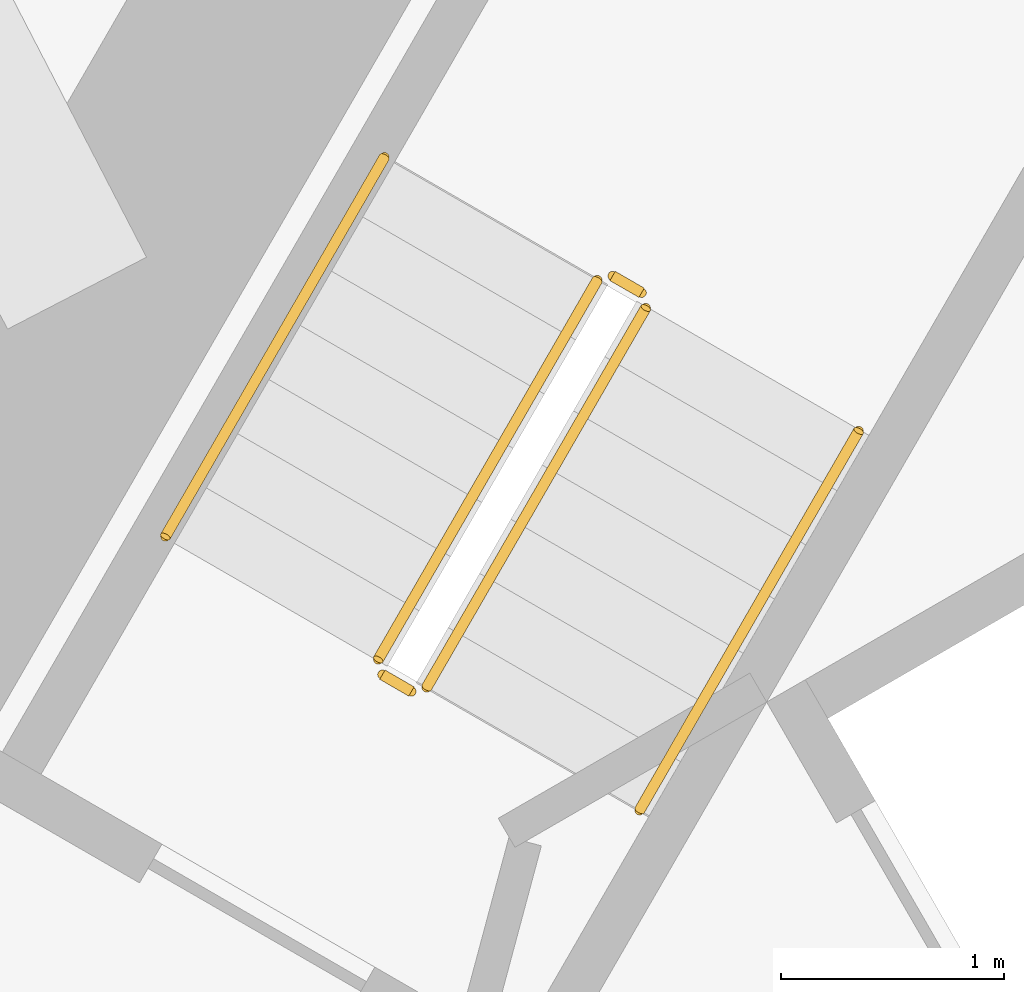
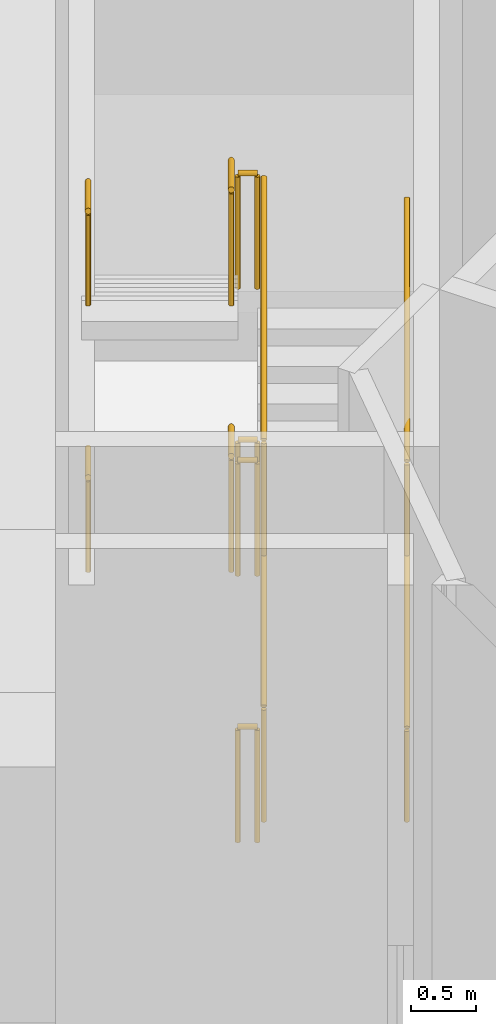
# One storey, part 18 of 20: 12 railings.
"""IFC4 building model written with IfcOpenShell, lengths in metres."""

from ifc_helpers import new_model, si_unit, direction, frame, origin, origin_2d, place, context, subcontext, project, spatial, circle, extrude, material, type_object, element, save


model = new_model("IFC4")

# Units and contexts
model_context = context("Model", 3, precision=1e-05, world=origin(), true_north=direction((0.0, 1.0)))
body_context = subcontext(model_context, "Body", "Model", "MODEL_VIEW")
ifc_project = project(units=[si_unit("LENGTHUNIT", "METRE"), si_unit("AREAUNIT", "SQUARE_METRE"), si_unit("VOLUMEUNIT", "CUBIC_METRE"), si_unit("PLANEANGLEUNIT", "RADIAN"), si_unit("MASSUNIT", "GRAM", prefix="KILO")], contexts=[model_context])

# Site, building, storey
site_placement = place(None, origin())
site = spatial("IfcSite", under=ifc_project, at=site_placement, CompositionType="ELEMENT")
building_placement = place(site_placement, origin())
building = spatial("IfcBuilding", under=site, at=building_placement, Name="Tramontana Tower", CompositionType="ELEMENT")
storey_placement = place(building_placement, frame((0.0, 0.0, 10.0)))
storey = spatial("IfcBuildingStorey", under=building, at=storey_placement, Name="L01", CompositionType="ELEMENT", Elevation=10.0)

# Railings
ifc_material_1 = material(Name="Painted steel", Category="steel")
railing_type_1 = type_object("IfcRailingType", Name="STAIR GUARD 1100", PredefinedType="GUARDRAIL", material=ifc_material_1)
railing_1_placement = place(storey_placement, frame((-1.867431640625, 4.865478515625, 0.15625)))
element("IfcRailing", 1, at=railing_1_placement, inside=storey, type_object=railing_type_1, Name="L01 ST1 stair guard 1", PredefinedType="GUARDRAIL", context=body_context, shape_type="SweptSolid", body=[
    extrude(circle(Radius=0.02392578125, at=origin_2d()), frame((0.0, 0.0, 1.076171875), z_axis=(0.436596390967, 0.756266742998, 0.487282469241), x_axis=(-0.866042469362, 0.499970440388, 0.0)), (0.0, 0.0, 1.0), 2.24462890625),
    extrude(circle(Radius=0.02099609375, at=origin_2d()), origin(), (0.0, 0.0, 1.0), 1.052001953125),
    extrude(circle(Radius=0.02099609375, at=origin_2d()), frame((0.489990234375, 0.8486328125, 0.546875)), (0.0, 0.0, 1.0), 1.052001953125),
    extrude(circle(Radius=0.02099609375, at=origin_2d()), frame((0.97998046875, 1.697509765625, 1.09375)), (0.0, 0.0, 1.0), 1.052001953125),
])
railing_2_placement = place(storey_placement, frame((-1.10400390625, 6.68798828125, 1.40625)))
element("IfcRailing", 2, at=railing_2_placement, inside=storey, type_object=railing_type_1, Name="L01 ST1 stair guard 2", PredefinedType="GUARDRAIL", context=body_context, shape_type="SweptSolid", body=[
    extrude(circle(Radius=0.02392578125, at=origin_2d()), frame((0.0, 0.0, 1.076171875), z_axis=(-0.436596390967, -0.756266742998, 0.487282469241), x_axis=(0.866042469362, -0.499970440388, 0.0)), (0.0, 0.0, 1.0), 2.24462890625),
    extrude(circle(Radius=0.02099609375, at=origin_2d()), origin(), (0.0, 0.0, 1.0), 1.052001953125),
    extrude(circle(Radius=0.02099609375, at=origin_2d()), frame((-0.489990234375, -0.8486328125, 0.546875)), (0.0, 0.0, 1.0), 1.052001953125),
    extrude(circle(Radius=0.02099609375, at=origin_2d()), frame((-0.97998046875, -1.697509765625, 1.09375)), (0.0, 0.0, 1.0), 1.052001953125),
])
railing_3_placement = place(storey_placement, frame((-1.867431640625, 4.865478515625, 2.65625)))
element("IfcRailing", 3, at=railing_3_placement, inside=storey, type_object=railing_type_1, Name="L01 ST1 stair guard 3", PredefinedType="GUARDRAIL", context=body_context, shape_type="SweptSolid", body=[
    extrude(circle(Radius=0.02392578125, at=origin_2d()), frame((0.0, 0.0, 1.076171875), z_axis=(0.436596390967, 0.756266742998, 0.487282469241), x_axis=(-0.866042469362, 0.499970440388, 0.0)), (0.0, 0.0, 1.0), 2.24462890625),
    extrude(circle(Radius=0.02099609375, at=origin_2d()), origin(), (0.0, 0.0, 1.0), 1.052001953125),
    extrude(circle(Radius=0.02099609375, at=origin_2d()), frame((0.489990234375, 0.8486328125, 0.546875)), (0.0, 0.0, 1.0), 1.052001953125),
    extrude(circle(Radius=0.02099609375, at=origin_2d()), frame((0.97998046875, 1.697509765625, 1.09375)), (0.0, 0.0, 1.0), 1.052001953125),
])
railing_4_placement = place(storey_placement, frame((-1.10400390625, 6.68798828125, 3.90625)))
element("IfcRailing", 4, at=railing_4_placement, inside=storey, type_object=railing_type_1, Name="L01 ST1 stair guard 4", PredefinedType="GUARDRAIL", context=body_context, shape_type="SweptSolid", body=[
    extrude(circle(Radius=0.02392578125, at=origin_2d()), frame((0.0, 0.0, 1.076171875), z_axis=(-0.436596390967, -0.756266742998, 0.487282469241), x_axis=(0.866042469362, -0.499970440388, 0.0)), (0.0, 0.0, 1.0), 2.24462890625),
    extrude(circle(Radius=0.02099609375, at=origin_2d()), origin(), (0.0, 0.0, 1.0), 1.052001953125),
    extrude(circle(Radius=0.02099609375, at=origin_2d()), frame((-0.489990234375, -0.8486328125, 0.546875)), (0.0, 0.0, 1.0), 1.052001953125),
    extrude(circle(Radius=0.02099609375, at=origin_2d()), frame((-0.97998046875, -1.697509765625, 1.09375)), (0.0, 0.0, 1.0), 1.052001953125),
])
railing_5_placement = place(storey_placement, frame((-0.90576171875, 6.63134765625, 1.25)))
element("IfcRailing", 5, at=railing_5_placement, inside=storey, type_object=railing_type_1, Name="L01 ST1 stair guard 5", PredefinedType="GUARDRAIL", context=body_context, shape_type="SweptSolid", body=[
    extrude(circle(Radius=0.02392578125, at=origin_2d()), frame((0.0, 0.0, 1.076171875), z_axis=(-0.866131372301, 0.499816412211, 0.0), x_axis=(-0.499816412211, -0.866131372301, 0.0)), (0.0, 0.0, 1.0), 0.14990234375),
    extrude(circle(Radius=0.02099609375, at=origin_2d()), origin(), (0.0, 0.0, 1.0), 1.052001953125),
    extrude(circle(Radius=0.02099609375, at=origin_2d()), frame((-0.1298828125, 0.074951171875, 0.0)), (0.0, 0.0, 1.0), 1.052001953125),
])
railing_6_placement = place(storey_placement, frame((-1.935791015625, 4.84716796875, 2.5)))
element("IfcRailing", 6, at=railing_6_placement, inside=storey, type_object=railing_type_1, Name="L01 ST1 stair guard 6", PredefinedType="GUARDRAIL", context=body_context, shape_type="SweptSolid", body=[
    extrude(circle(Radius=0.02392578125, at=origin_2d()), frame((0.0, 0.0, 1.076171875), z_axis=(-0.865426285481, 0.501036270542, 0.0), x_axis=(-0.501036270542, -0.865426285481, 0.0)), (0.0, 0.0, 1.0), 0.150146484375),
    extrude(circle(Radius=0.02099609375, at=origin_2d()), origin(), (0.0, 0.0, 1.0), 1.052001953125),
    extrude(circle(Radius=0.02099609375, at=origin_2d()), frame((-0.1298828125, 0.0751953125, 0.0)), (0.0, 0.0, 1.0), 1.052001953125),
])
railing_7_placement = place(storey_placement, frame((-0.90576171875, 6.63134765625, 3.75)))
element("IfcRailing", 7, at=railing_7_placement, inside=storey, type_object=railing_type_1, Name="L01 ST1 stair guard 7", PredefinedType="GUARDRAIL", context=body_context, shape_type="SweptSolid", body=[
    extrude(circle(Radius=0.02392578125, at=origin_2d()), frame((0.0, 0.0, 1.076171875), z_axis=(-0.866131372301, 0.499816412211, 0.0), x_axis=(-0.499816412211, -0.866131372301, 0.0)), (0.0, 0.0, 1.0), 0.14990234375),
    extrude(circle(Radius=0.02099609375, at=origin_2d()), origin(), (0.0, 0.0, 1.0), 1.052001953125),
    extrude(circle(Radius=0.02099609375, at=origin_2d()), frame((-0.1298828125, 0.074951171875, 0.0)), (0.0, 0.0, 1.0), 1.052001953125),
])
railing_8_placement = place(storey_placement, frame((-1.935791015625, 4.84716796875, 0.0)))
element("IfcRailing", 8, at=railing_8_placement, inside=storey, type_object=railing_type_1, Name="L01 ST1 stair guard 8", PredefinedType="GUARDRAIL", context=body_context, shape_type="SweptSolid", body=[
    extrude(circle(Radius=0.02392578125, at=origin_2d()), frame((0.0, 0.0, 1.076171875), z_axis=(-0.865426285481, 0.501036270542, 0.0), x_axis=(-0.501036270542, -0.865426285481, 0.0)), (0.0, 0.0, 1.0), 0.150146484375),
    extrude(circle(Radius=0.02099609375, at=origin_2d()), origin(), (0.0, 0.0, 1.0), 1.052001953125),
    extrude(circle(Radius=0.02099609375, at=origin_2d()), frame((-0.1298828125, 0.0751953125, 0.0)), (0.0, 0.0, 1.0), 1.052001953125),
])
ifc_material_2 = material(Name="Painted steel", Category="steel")
railing_type_2 = type_object("IfcRailingType", Name="STAIR HANDRAIL 900", PredefinedType="HANDRAIL", material=ifc_material_2)
railing_9_placement = place(storey_placement, frame((-0.914794921875, 4.315673828125, 0.15625)))
element("IfcRailing", 9, at=railing_9_placement, inside=storey, type_object=railing_type_2, Name="L01 ST1 stair handrail 1", PredefinedType="HANDRAIL", context=body_context, shape_type="SweptSolid", body=[
    extrude(circle(Radius=0.02392578125, at=origin_2d()), frame((0.0, 0.0, 0.8759765625), z_axis=(0.436632306331, 0.756220177781, 0.487322554151), x_axis=(-0.866011328839, 0.500024377727, 0.0)), (0.0, 0.0, 1.0), 2.244384765625),
    extrude(circle(Radius=0.02099609375, at=origin_2d()), origin(), (0.0, 0.0, 1.0), 0.851806640625),
    extrude(circle(Radius=0.02099609375, at=origin_2d()), frame((0.489990234375, 0.8486328125, 0.546875)), (0.0, 0.0, 1.0), 0.851806640625),
    extrude(circle(Radius=0.02099609375, at=origin_2d()), frame((0.97998046875, 1.697265625, 1.09375)), (0.0, 0.0, 1.0), 0.851806640625),
])
railing_10_placement = place(storey_placement, frame((-2.056640625, 7.238037109375, 1.40625)))
element("IfcRailing", 10, at=railing_10_placement, inside=storey, type_object=railing_type_2, Name="L01 ST1 stair handrail 2", PredefinedType="HANDRAIL", context=body_context, shape_type="SweptSolid", body=[
    extrude(circle(Radius=0.02392578125, at=origin_2d()), frame((0.0, 0.0, 0.8759765625), z_axis=(-0.436596390967, -0.756266742998, 0.487282469241), x_axis=(0.866042469362, -0.499970440388, 0.0)), (0.0, 0.0, 1.0), 2.24462890625),
    extrude(circle(Radius=0.02099609375, at=origin_2d()), origin(), (0.0, 0.0, 1.0), 0.851806640625),
    extrude(circle(Radius=0.02099609375, at=origin_2d()), frame((-0.489990234375, -0.8486328125, 0.546875)), (0.0, 0.0, 1.0), 0.851806640625),
    extrude(circle(Radius=0.02099609375, at=origin_2d()), frame((-0.97998046875, -1.697509765625, 1.09375)), (0.0, 0.0, 1.0), 0.851806640625),
])
railing_11_placement = place(storey_placement, frame((-0.914794921875, 4.315673828125, 2.65625)))
element("IfcRailing", 11, at=railing_11_placement, inside=storey, type_object=railing_type_2, Name="L01 ST1 stair handrail 3", PredefinedType="HANDRAIL", context=body_context, shape_type="SweptSolid", body=[
    extrude(circle(Radius=0.02392578125, at=origin_2d()), frame((0.0, 0.0, 0.8759765625), z_axis=(0.436632306331, 0.756220177781, 0.487322554151), x_axis=(-0.866011328839, 0.500024377727, 0.0)), (0.0, 0.0, 1.0), 2.244384765625),
    extrude(circle(Radius=0.02099609375, at=origin_2d()), origin(), (0.0, 0.0, 1.0), 0.851806640625),
    extrude(circle(Radius=0.02099609375, at=origin_2d()), frame((0.489990234375, 0.8486328125, 0.546875)), (0.0, 0.0, 1.0), 0.851806640625),
    extrude(circle(Radius=0.02099609375, at=origin_2d()), frame((0.97998046875, 1.697265625, 1.09375)), (0.0, 0.0, 1.0), 0.851806640625),
])
railing_12_placement = place(storey_placement, frame((-2.056640625, 7.238037109375, 3.90625)))
element("IfcRailing", 12, at=railing_12_placement, inside=storey, type_object=railing_type_2, Name="L01 ST1 stair handrail 4", PredefinedType="HANDRAIL", context=body_context, shape_type="SweptSolid", body=[
    extrude(circle(Radius=0.02392578125, at=origin_2d()), frame((0.0, 0.0, 0.8759765625), z_axis=(-0.436596390967, -0.756266742998, 0.487282469241), x_axis=(0.866042469362, -0.499970440388, 0.0)), (0.0, 0.0, 1.0), 2.24462890625),
    extrude(circle(Radius=0.02099609375, at=origin_2d()), origin(), (0.0, 0.0, 1.0), 0.851806640625),
    extrude(circle(Radius=0.02099609375, at=origin_2d()), frame((-0.489990234375, -0.8486328125, 0.546875)), (0.0, 0.0, 1.0), 0.851806640625),
    extrude(circle(Radius=0.02099609375, at=origin_2d()), frame((-0.97998046875, -1.697509765625, 1.09375)), (0.0, 0.0, 1.0), 0.851806640625),
])

save(model, "model.ifc")
